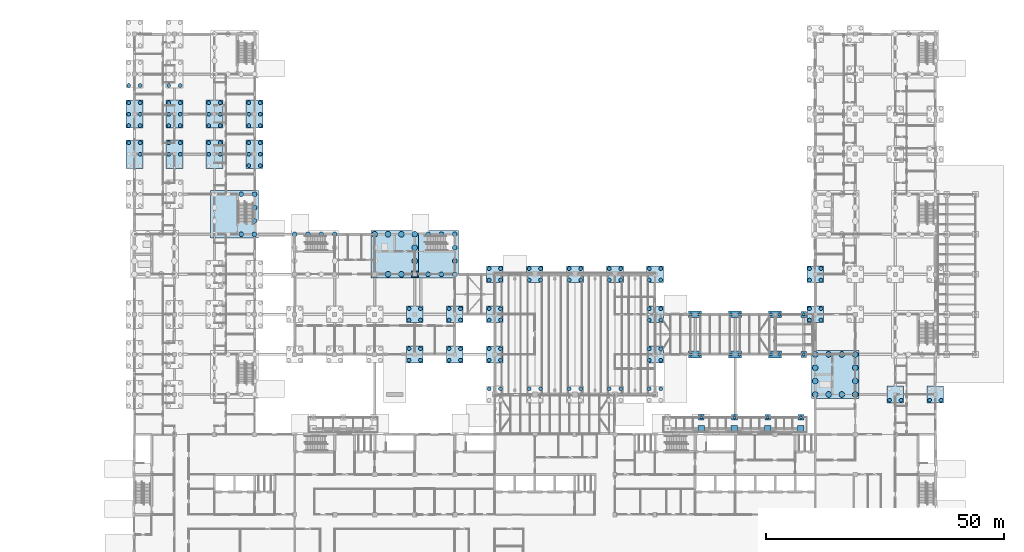
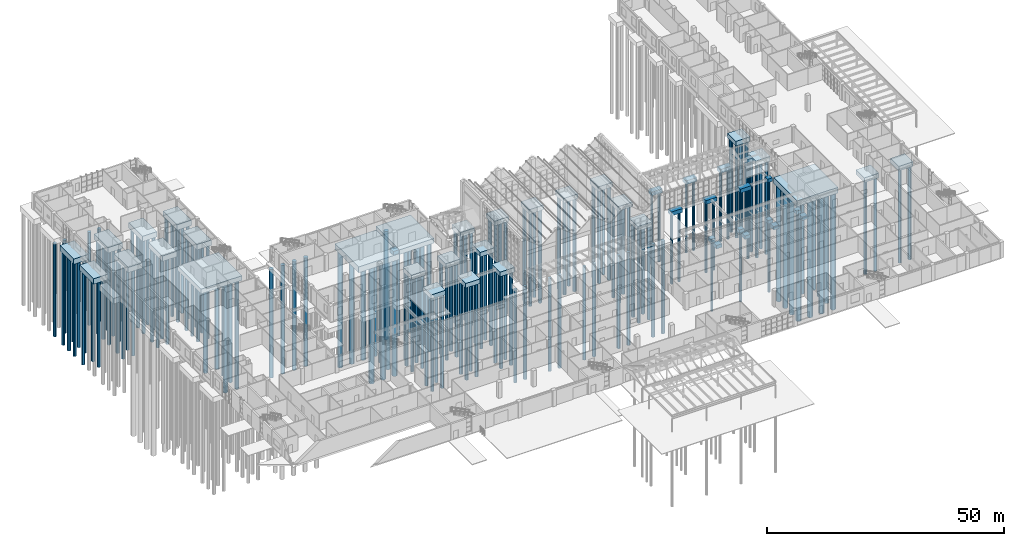
# One storey, part 2 of 138: 176 piles, 46 footings.
"""IFC4 building model written with IfcOpenShell, lengths in metres."""

import ifcopenshell
import ifcopenshell.guid

model = None  # the IFC model being written
_history = None  # IfcOwnerHistory: only IFC2X3 demands one
_inside = {}  # id of a spatial element -> (the spatial element, [elements in it])
_under = {}  # id of a project, library or spatial element -> (it, [spatial elements below it])
_declared = {}  # id of a project -> (the project, [libraries it declares])
_typed = {}  # id of a type object -> (the type object, [elements of that type])
_made_of = {}  # id of a material, layer set ... -> (it, [elements and type objects made of it])


def new_model(schema):
    """Start an empty IFC model of exactly this schema.

    Asked for "IFC4X3", IfcOpenShell would pick the latest addendum, in which some entities
    have other attributes; the version numbers below select the first issue.
    IFC2X3 requires an IfcOwnerHistory on every rooted entity: one is made here for all.
    """
    global model, _history
    if schema == "IFC4X3":
        model = ifcopenshell.file(schema_version=(4, 3, 0, 0))
    else:
        model = ifcopenshell.file(schema=schema)
    _inside.clear()
    _under.clear()
    _declared.clear()
    _typed.clear()
    _made_of.clear()
    _history = None
    if model.schema == "IFC2X3":
        org = make("IfcOrganization", Name="unknown")
        user = make(
            "IfcPersonAndOrganization",
            ThePerson=make("IfcPerson", FamilyName="unknown"),
            TheOrganization=org,
        )
        app = make(
            "IfcApplication",
            ApplicationDeveloper=org,
            Version="unknown",
            ApplicationFullName="unknown",
            ApplicationIdentifier="unknown",
        )
        _history = make(
            "IfcOwnerHistory",
            OwningUser=user,
            OwningApplication=app,
            ChangeAction="ADDED",
            CreationDate=0,
        )
    return model


def make(cls, **values):
    """One entity of the class cls with the attributes given. An attribute that is None is left unset."""
    return model.create_entity(
        cls, **{name: value for name, value in values.items() if value is not None}
    )


def rooted(cls, **values):
    """An entity with a GlobalId (a new one), such as an element, a storey or a relation."""
    return make(cls, GlobalId=ifcopenshell.guid.new(), OwnerHistory=_history, **values)


def si_unit(unit_type, name, prefix=None):
    """IfcSIUnit, for example si_unit("LENGTHUNIT", "METRE", prefix="MILLI")."""
    return make("IfcSIUnit", UnitType=unit_type, Prefix=prefix, Name=name)


def assignment(units):
    """IfcUnitAssignment: the units of a project."""
    return None if units is None else make("IfcUnitAssignment", Units=units)


def point(xyz):
    """IfcCartesianPoint."""
    return None if xyz is None else make("IfcCartesianPoint", Coordinates=xyz)


def direction(xyz):
    """IfcDirection."""
    return None if xyz is None else make("IfcDirection", DirectionRatios=xyz)


def frame(location, z_axis=None, x_axis=None):
    """IfcAxis2Placement3D, a coordinate frame: its origin and axes. An axis left out is left unset."""
    return make(
        "IfcAxis2Placement3D",
        Location=point(location),
        Axis=direction(z_axis),
        RefDirection=direction(x_axis),
    )


def frame_2d(location, x_axis=None):
    """IfcAxis2Placement2D, a coordinate frame in the plane: its origin and x axis."""
    return make(
        "IfcAxis2Placement2D", Location=point(location), RefDirection=direction(x_axis)
    )


def origin():
    """The frame at (0, 0, 0) with its axes left unset."""
    return frame((0.0, 0.0, 0.0))


def origin_2d():
    """The frame at (0, 0) in the plane with its x axis left unset."""
    return frame_2d((0.0, 0.0))


def place(relative_to, where):
    """IfcLocalPlacement: puts the frame where relative to a parent placement (None: the world)."""
    return make(
        "IfcLocalPlacement", PlacementRelTo=relative_to, RelativePlacement=where
    )


def context(
    kind, dimensions, precision=None, world=None, true_north=None, identifier=None
):
    """IfcGeometricRepresentationContext, for example the 3D "Model" context."""
    return make(
        "IfcGeometricRepresentationContext",
        ContextIdentifier=identifier,
        ContextType=kind,
        CoordinateSpaceDimension=dimensions,
        Precision=precision,
        WorldCoordinateSystem=world,
        TrueNorth=true_north,
    )


def subcontext(parent, identifier, kind, view, scale=None):
    """IfcGeometricRepresentationSubContext, for example "Body" below "Model"."""
    return make(
        "IfcGeometricRepresentationSubContext",
        ContextIdentifier=identifier,
        ContextType=kind,
        ParentContext=parent,
        TargetScale=scale,
        TargetView=view,
    )


def project(units=None, contexts=None):
    """IfcProject with its units and contexts."""
    return rooted(
        "IfcProject",
        Name="project",
        RepresentationContexts=contexts,
        UnitsInContext=assignment(units),
    )


def spatial(cls, under=None, at=None, **own):
    """A site, building, storey or space (cls), placed at a placement, below another one or the project."""
    s = rooted(cls, ObjectPlacement=at, **own)
    if under is not None:
        _under.setdefault(under.id(), (under, []))[1].append(s)
    return s


def profile(cls, at=None, kind="AREA", **sizes):
    """A parametric profile (cls). Its sizes go by their IFC names, for example OverallWidth=200.0."""
    return make(cls, ProfileType=kind, Position=at, **sizes)


def rectangle(**sizes):
    """IfcRectangleProfileDef."""
    return profile("IfcRectangleProfileDef", **sizes)


def circle(**sizes):
    """IfcCircleProfileDef."""
    return profile("IfcCircleProfileDef", **sizes)


def extrude(swept, where, along, depth):
    """IfcExtrudedAreaSolid: the profile swept, set in the frame where, extruded along a direction by depth."""
    return make(
        "IfcExtrudedAreaSolid",
        SweptArea=swept,
        Position=where,
        ExtrudedDirection=direction(along),
        Depth=depth,
    )


def shape(context_of_items, identifier, shape_type, items):
    """IfcShapeRepresentation: the items that make up one representation, for example the "Body"."""
    return make(
        "IfcShapeRepresentation",
        ContextOfItems=context_of_items,
        RepresentationIdentifier=identifier,
        RepresentationType=shape_type,
        Items=items,
    )


def material(Name=None, Category=None):
    """IfcMaterial."""
    return make("IfcMaterial", Name=Name, Category=Category)


def material_profile(
    of_material, cross_section, Name=None, Category=None, Priority=None
):
    """IfcMaterialProfile: a cross section and its material."""
    return make(
        "IfcMaterialProfile",
        Name=Name,
        Material=of_material,
        Profile=cross_section,
        Priority=Priority,
        Category=Category,
    )


def profile_set(profiles, Name=None, composite=None):
    """IfcMaterialProfileSet."""
    return make(
        "IfcMaterialProfileSet",
        Name=Name,
        MaterialProfiles=profiles,
        CompositeProfile=composite,
    )


def made_of(thing, what):
    """Note that an element or type object is made of a material, layer set ...; save() writes the relation."""
    if what is not None:
        _made_of.setdefault(what.id(), (what, []))[1].append(thing)
    return thing


def type_object(cls, material=None, **own):
    """A type object (cls), such as IfcWallType, which elements share."""
    return made_of(rooted(cls, **own), material)


def element(
    cls,
    number,
    at=None,
    inside=None,
    cuts=None,
    type_object=None,
    material=None,
    context=None,
    identifier="Body",
    shape_type=None,
    held_by="IfcProductDefinitionShape",
    body=None,
    shapes=None,
    **own,
):
    """One element of the class cls, such as IfcWall. Its Tag is "e" and its number.

    at: its placement. inside: the storey or other place that contains it. cuts: it is an
    opening in that element (IfcRelVoidsElement). A single representation is given by context,
    identifier, shape_type and body (its items); several are given by shapes. held_by: the class
    of the entity that holds the representations. save() writes the other relations.
    """
    e = rooted(cls, Tag="e%d" % number, ObjectPlacement=at, **own)
    if body is not None:
        shapes = [shape(context, identifier, shape_type, body)]
    if shapes is not None:
        e.Representation = make(held_by, Representations=shapes)
    if inside is not None:
        _inside.setdefault(inside.id(), (inside, []))[1].append(e)
    if cuts is not None:
        rooted(
            "IfcRelVoidsElement", RelatingBuildingElement=cuts, RelatedOpeningElement=e
        )
    if type_object is not None:
        _typed.setdefault(type_object.id(), (type_object, []))[1].append(e)
    return made_of(e, material)


def aggregate(whole, parts):
    """IfcRelAggregates: a whole, such as a stair, and the parts it consists of."""
    return rooted("IfcRelAggregates", RelatingObject=whole, RelatedObjects=parts)


def save(model, path):
    """Write the relations noted so far, then the file.

    IfcRelAggregates (storeys below a building ...), IfcRelContainedInSpatialStructure (elements
    in a storey), IfcRelDefinesByType, IfcRelAssociatesMaterial and IfcRelDeclares: one each for
    every whole, place, type object, material and project.
    """
    for whole, parts in _under.values():
        aggregate(whole, parts)
    for where, things in _inside.values():
        rooted(
            "IfcRelContainedInSpatialStructure",
            RelatedElements=things,
            RelatingStructure=where,
        )
    for kind, things in _typed.values():
        rooted("IfcRelDefinesByType", RelatedObjects=things, RelatingType=kind)
    for what, things in _made_of.values():
        rooted("IfcRelAssociatesMaterial", RelatedObjects=things, RelatingMaterial=what)
    for by, libraries in _declared.values():
        rooted("IfcRelDeclares", RelatingContext=by, RelatedDefinitions=libraries)
    model.write(path)


model = new_model("IFC4")

# Units and contexts
model_context = context("Model", 3, precision=1e-05, world=origin(), true_north=direction((0.0, 1.0)))
body_context = subcontext(model_context, "Body", "Model", "MODEL_VIEW")
ifc_project = project(units=[si_unit("LENGTHUNIT", "METRE"), si_unit("AREAUNIT", "SQUARE_METRE"), si_unit("VOLUMEUNIT", "CUBIC_METRE"), si_unit("PLANEANGLEUNIT", "RADIAN"), si_unit("MASSUNIT", "GRAM", prefix="KILO")], contexts=[model_context])

# Site, building, storey
site_placement = place(None, origin())
site = spatial("IfcSite", under=ifc_project, at=site_placement, CompositionType="ELEMENT")
building_placement = place(site_placement, origin())
building = spatial("IfcBuilding", under=site, at=building_placement, Name="Yavir Park General Hospital", CompositionType="ELEMENT")
storey_placement = place(building_placement, origin())
storey = spatial("IfcBuildingStorey", under=building, at=storey_placement, Name="L00", CompositionType="ELEMENT", Elevation=0.0)

# Piles
ifc_material_1 = material(Name="Concrete C35/45", Category="concrete")
ifc_material_profile_1 = material_profile(ifc_material_1, circle(Radius=0.5, at=origin_2d()), Name="D1000")
ifc_profile_set_1 = profile_set([ifc_material_profile_1], Name="Concrete C35/45")
pile_type_1 = type_object("IfcPileType", Name="BORED PILE D1000", PredefinedType="BORED", material=ifc_profile_set_1)
for number, where, z_axis, x_axis, name in (
    (1, (22.39990234375, 75.60009765625, -1.64990234375), (0.0, 0.0, -1.0), (1.0, 0.0, 0.0), "P:L00:SW2:02"),
    (2, (25.199951171875, 75.60009765625, -1.64990234375), (0.0, 0.0, -1.0), (1.0, 0.0, 0.0), "P:L00:SW2:03"),
    (3, (25.199951171875, 78.39990234375, -1.64990234375), (0.0, 0.0, -1.0), (1.0, 0.0, 0.0), "P:L00:SW2:05"),
    (4, (25.199951171875, 81.199951171875, -1.64990234375), (0.0, 0.0, -1.0), (1.0, 0.0, 0.0), "P:L00:SW2:07"),
    (5, (22.39990234375, 84.0, -1.64990234375), (0.0, 0.0, -1.0), (1.0, 0.0, 0.0), "P:L00:SW2:10"),
    (6, (25.199951171875, 84.0, -1.64990234375), (0.0, 0.0, -1.0), (1.0, 0.0, 0.0), "P:L00:SW2:11"),
    (7, (33.60009765625, 75.60009765625, -1.64990234375), (0.0, 0.0, -1.0), (1.0, 0.0, 0.0), "P:L00:CS1:08"),
    (8, (36.39990234375, 75.60009765625, -1.64990234375), (0.0, 0.0, -1.0), (1.0, 0.0, 0.0), "P:L00:CS1:09"),
    (9, (39.199951171875, 75.60009765625, -1.64990234375), (0.0, 0.0, -1.0), (1.0, 0.0, 0.0), "P:L00:CS1:10"),
    (10, (42.0, 75.60009765625, -1.64990234375), (0.0, 0.0, -1.0), (1.0, 0.0, 0.0), "P:L00:CS1:11"),
    (11, (61.60009765625, 67.199951171875, -1.64990234375), (0.0, 0.0, -1.0), (1.0, 0.0, 0.0), "P:L00:CS2:00"),
    (12, (64.39990234375, 67.199951171875, -1.64990234375), (0.0, 0.0, -1.0), (1.0, 0.0, 0.0), "P:L00:CS2:01"),
    (13, (67.199951171875, 67.199951171875, -1.64990234375), (0.0, 0.0, -1.0), (1.0, 0.0, 0.0), "P:L00:CS2:02"),
    (14, (67.199951171875, 70.0, -1.64990234375), (0.0, 0.0, -1.0), (1.0, 0.0, 0.0), "P:L00:CS2:03"),
    (15, (67.199951171875, 72.800048828125, -1.64990234375), (0.0, 0.0, -1.0), (1.0, 0.0, 0.0), "P:L00:CS2:04"),
    (16, (61.60009765625, 75.60009765625, -1.64990234375), (0.0, 0.0, -1.0), (1.0, 0.0, 0.0), "P:L00:CS2:05"),
    (17, (64.39990234375, 75.60009765625, -1.64990234375), (0.0, 0.0, -1.0), (1.0, 0.0, 0.0), "P:L00:CS2:06"),
    (18, (67.199951171875, 75.60009765625, -1.64990234375), (0.0, 0.0, -1.0), (1.0, 0.0, 0.0), "P:L00:CS2:07"),
):
    element("IfcPile", number, at=place(storey_placement, frame(where, z_axis=z_axis, x_axis=x_axis)), inside=storey, type_object=pile_type_1, Name=name, PredefinedType="BORED", context=body_context, shape_type="SweptSolid", body=[
        extrude(circle(Radius=0.5, at=origin_2d()), origin(), (0.0, 0.0, 1.0), 28.0),
    ])
ifc_material_2 = material(Name="Concrete C35/45", Category="concrete")
ifc_material_profile_2 = material_profile(ifc_material_2, circle(Radius=0.60009765625, at=origin_2d()), Name="D1200")
ifc_profile_set_2 = profile_set([ifc_material_profile_2], Name="Concrete C35/45")
pile_type_2 = type_object("IfcPileType", Name="BORED PILE D1200", PredefinedType="BORED", material=ifc_profile_set_2)
for number, where, z_axis, x_axis, name in (
    (19, (53.199951171875, 67.199951171875, -2.89990234375), (0.0, 0.0, -1.0), (1.0, 0.0, 0.0), "P:L00:CPL:01"),
    (20, (56.0, 67.199951171875, -2.89990234375), (0.0, 0.0, -1.0), (1.0, 0.0, 0.0), "P:L00:CPL:02"),
    (21, (58.800048828125, 67.199951171875, -2.89990234375), (0.0, 0.0, -1.0), (1.0, 0.0, 0.0), "P:L00:CPL:03"),
    (22, (58.800048828125, 70.0, -2.89990234375), (0.0, 0.0, -1.0), (1.0, 0.0, 0.0), "P:L00:CPL:05"),
    (23, (58.800048828125, 72.800048828125, -2.89990234375), (0.0, 0.0, -1.0), (1.0, 0.0, 0.0), "P:L00:CPL:07"),
    (24, (50.39990234375, 75.60009765625, -2.89990234375), (0.0, 0.0, -1.0), (1.0, 0.0, 0.0), "P:L00:CPL:08"),
    (25, (53.199951171875, 75.60009765625, -2.89990234375), (0.0, 0.0, -1.0), (1.0, 0.0, 0.0), "P:L00:CPL:09"),
    (26, (56.0, 75.60009765625, -2.89990234375), (0.0, 0.0, -1.0), (1.0, 0.0, 0.0), "P:L00:CPL:10"),
    (27, (58.800048828125, 75.60009765625, -2.89990234375), (0.0, 0.0, -1.0), (1.0, 0.0, 0.0), "P:L00:CPL:11"),
    (28, (142.800048828125, 42.0, -2.89990234375), (0.0, 0.0, -1.0), (1.0, 0.0, 0.0), "P:L00:EDL:00"),
    (29, (145.60009765625, 42.0, -2.89990234375), (0.0, 0.0, -1.0), (1.0, 0.0, 0.0), "P:L00:EDL:01"),
    (30, (148.39990234375, 42.0, -2.89990234375), (0.0, 0.0, -1.0), (1.0, 0.0, 0.0), "P:L00:EDL:02"),
    (31, (151.199951171875, 42.0, -2.89990234375), (0.0, 0.0, -1.0), (1.0, 0.0, 0.0), "P:L00:EDL:03"),
    (32, (142.800048828125, 44.800048828125, -2.89990234375), (0.0, 0.0, -1.0), (1.0, 0.0, 0.0), "P:L00:EDL:04"),
    (33, (151.199951171875, 44.800048828125, -2.89990234375), (0.0, 0.0, -1.0), (1.0, 0.0, 0.0), "P:L00:EDL:05"),
    (34, (142.800048828125, 47.60009765625, -2.89990234375), (0.0, 0.0, -1.0), (1.0, 0.0, 0.0), "P:L00:EDL:06"),
    (35, (151.199951171875, 47.60009765625, -2.89990234375), (0.0, 0.0, -1.0), (1.0, 0.0, 0.0), "P:L00:EDL:07"),
    (36, (142.800048828125, 50.39990234375, -2.89990234375), (0.0, 0.0, -1.0), (1.0, 0.0, 0.0), "P:L00:EDL:08"),
    (37, (145.60009765625, 50.39990234375, -2.89990234375), (0.0, 0.0, -1.0), (1.0, 0.0, 0.0), "P:L00:EDL:09"),
    (38, (148.39990234375, 50.39990234375, -2.89990234375), (0.0, 0.0, -1.0), (1.0, 0.0, 0.0), "P:L00:EDL:10"),
    (39, (151.199951171875, 50.39990234375, -2.89990234375), (0.0, 0.0, -1.0), (1.0, 0.0, 0.0), "P:L00:EDL:11"),
):
    element("IfcPile", number, at=place(storey_placement, frame(where, z_axis=z_axis, x_axis=x_axis)), inside=storey, type_object=pile_type_2, Name=name, PredefinedType="BORED", context=body_context, shape_type="SweptSolid", body=[
        extrude(circle(Radius=0.60009765625, at=origin_2d()), origin(), (0.0, 0.0, 1.0), 30.0),
    ])
ifc_material_3 = material(Name="Concrete C35/45", Category="concrete")
ifc_material_profile_3 = material_profile(ifc_material_3, circle(Radius=0.300048828125, at=origin_2d()), Name="D600")
ifc_profile_set_3 = profile_set([ifc_material_profile_3], Name="Concrete C35/45")
pile_type_3 = type_object("IfcPileType", Name="BORED PILE D600", PredefinedType="BORED", material=ifc_profile_set_3)
for number, where, z_axis, x_axis, name in (
    (40, (116.699951171875, 50.39990234375, -1.449951171875), (0.0, 0.0, -1.0), (1.0, 0.0, 0.0), "P:L00:15G:0"),
    (41, (118.5, 50.39990234375, -1.449951171875), (0.0, 0.0, -1.0), (1.0, 0.0, 0.0), "P:L00:15G:1"),
    (42, (125.10009765625, 50.39990234375, -1.449951171875), (0.0, 0.0, -1.0), (1.0, 0.0, 0.0), "P:L00:16G:0"),
    (43, (126.89990234375, 50.39990234375, -1.449951171875), (0.0, 0.0, -1.0), (1.0, 0.0, 0.0), "P:L00:16G:1"),
    (44, (133.5, 50.39990234375, -1.449951171875), (0.0, 0.0, -1.0), (1.0, 0.0, 0.0), "P:L00:17G:0"),
    (45, (135.300048828125, 50.39990234375, -1.449951171875), (0.0, 0.0, -1.0), (1.0, 0.0, 0.0), "P:L00:17G:1"),
    (46, (116.699951171875, 58.800048828125, -1.449951171875), (0.0, 0.0, -1.0), (1.0, 0.0, 0.0), "P:L00:15H:0"),
    (47, (118.5, 58.800048828125, -1.449951171875), (0.0, 0.0, -1.0), (1.0, 0.0, 0.0), "P:L00:15H:1"),
    (48, (125.10009765625, 58.800048828125, -1.449951171875), (0.0, 0.0, -1.0), (1.0, 0.0, 0.0), "P:L00:16H:0"),
    (49, (126.89990234375, 58.800048828125, -1.449951171875), (0.0, 0.0, -1.0), (1.0, 0.0, 0.0), "P:L00:16H:1"),
    (50, (133.5, 58.800048828125, -1.449951171875), (0.0, 0.0, -1.0), (1.0, 0.0, 0.0), "P:L00:17H:0"),
    (51, (135.300048828125, 58.800048828125, -1.449951171875), (0.0, 0.0, -1.0), (1.0, 0.0, 0.0), "P:L00:17H:1"),
    (52, (118.875, 37.199951171875, -1.199951171875), (0.0, 0.0, -1.0), (1.0, 0.0, 0.0), "P:ARC2:C11"),
    (53, (125.85009765625, 37.199951171875, -1.199951171875), (0.0, 0.0, -1.0), (1.0, 0.0, 0.0), "P:ARC2:C12"),
    (54, (132.824951171875, 37.199951171875, -1.199951171875), (0.0, 0.0, -1.0), (1.0, 0.0, 0.0), "P:ARC2:C13"),
    (55, (139.800048828125, 37.199951171875, -1.199951171875), (0.0, 0.0, -1.0), (1.0, 0.0, 0.0), "P:ARC2:C14"),
    (56, (140.39990234375, 50.39990234375, -1.199951171875), (0.0, 0.0, -1.0), (1.0, 0.0, 0.0), "P:EDW:C00"),
    (57, (140.39990234375, 58.800048828125, -1.199951171875), (0.0, 0.0, -1.0), (1.0, 0.0, 0.0), "P:EDW:C01"),
):
    element("IfcPile", number, at=place(storey_placement, frame(where, z_axis=z_axis, x_axis=x_axis)), inside=storey, type_object=pile_type_3, Name=name, PredefinedType="BORED", context=body_context, shape_type="SweptSolid", body=[
        extrude(circle(Radius=0.300048828125, at=origin_2d()), origin(), (0.0, 0.0, 1.0), 18.0),
    ])
ifc_material_4 = material(Name="Concrete C35/45", Category="concrete")
ifc_material_profile_4 = material_profile(ifc_material_4, circle(Radius=0.39990234375, at=origin_2d()), Name="D800")
ifc_profile_set_4 = profile_set([ifc_material_profile_4], Name="Concrete C35/45")
pile_type_4 = type_object("IfcPileType", Name="BORED PILE D800", PredefinedType="BORED", material=ifc_profile_set_4)
for number, where, z_axis, x_axis, name in (
    (58, (74.39990234375, 43.199951171875, -1.64990234375), (0.0, 0.0, -1.0), (1.0, 0.0, 0.0), "P:L00:10F:2"),
    (59, (76.800048828125, 43.199951171875, -1.64990234375), (0.0, 0.0, -1.0), (1.0, 0.0, 0.0), "P:L00:10F:3"),
    (60, (82.800048828125, 43.199951171875, -1.64990234375), (0.0, 0.0, -1.0), (1.0, 0.0, 0.0), "P:L00:11F:2"),
    (61, (85.199951171875, 43.199951171875, -1.64990234375), (0.0, 0.0, -1.0), (1.0, 0.0, 0.0), "P:L00:11F:3"),
    (62, (91.199951171875, 43.199951171875, -1.64990234375), (0.0, 0.0, -1.0), (1.0, 0.0, 0.0), "P:L00:12F:2"),
    (63, (93.60009765625, 43.199951171875, -1.64990234375), (0.0, 0.0, -1.0), (1.0, 0.0, 0.0), "P:L00:12F:3"),
    (64, (99.60009765625, 43.199951171875, -1.64990234375), (0.0, 0.0, -1.0), (1.0, 0.0, 0.0), "P:L00:13F:2"),
    (65, (102.0, 43.199951171875, -1.64990234375), (0.0, 0.0, -1.0), (1.0, 0.0, 0.0), "P:L00:13F:3"),
    (66, (108.0, 43.199951171875, -1.64990234375), (0.0, 0.0, -1.0), (1.0, 0.0, 0.0), "P:L00:14F:2"),
    (67, (110.39990234375, 43.199951171875, -1.64990234375), (0.0, 0.0, -1.0), (1.0, 0.0, 0.0), "P:L00:14F:3"),
    (68, (158.39990234375, 40.800048828125, -1.64990234375), (0.0, 0.0, -1.0), (1.0, 0.0, 0.0), "P:L00:20F:0"),
    (69, (160.800048828125, 40.800048828125, -1.64990234375), (0.0, 0.0, -1.0), (1.0, 0.0, 0.0), "P:L00:20F:1"),
    (70, (166.800048828125, 40.800048828125, -1.64990234375), (0.0, 0.0, -1.0), (1.0, 0.0, 0.0), "P:L00:21F:0"),
    (71, (169.199951171875, 40.800048828125, -1.64990234375), (0.0, 0.0, -1.0), (1.0, 0.0, 0.0), "P:L00:21F:1"),
    (72, (57.60009765625, 49.199951171875, -1.64990234375), (0.0, 0.0, -1.0), (1.0, 0.0, 0.0), "P:L00:8G:0"),
    (73, (60.0, 49.199951171875, -1.64990234375), (0.0, 0.0, -1.0), (1.0, 0.0, 0.0), "P:L00:8G:1"),
    (74, (57.60009765625, 51.60009765625, -1.64990234375), (0.0, 0.0, -1.0), (1.0, 0.0, 0.0), "P:L00:8G:2"),
    (75, (60.0, 51.60009765625, -1.64990234375), (0.0, 0.0, -1.0), (1.0, 0.0, 0.0), "P:L00:8G:3"),
    (76, (66.0, 49.199951171875, -1.64990234375), (0.0, 0.0, -1.0), (1.0, 0.0, 0.0), "P:L00:9G:0"),
    (77, (68.39990234375, 49.199951171875, -1.64990234375), (0.0, 0.0, -1.0), (1.0, 0.0, 0.0), "P:L00:9G:1"),
    (78, (66.0, 51.60009765625, -1.64990234375), (0.0, 0.0, -1.0), (1.0, 0.0, 0.0), "P:L00:9G:2"),
    (79, (68.39990234375, 51.60009765625, -1.64990234375), (0.0, 0.0, -1.0), (1.0, 0.0, 0.0), "P:L00:9G:3"),
    (80, (74.39990234375, 49.199951171875, -1.64990234375), (0.0, 0.0, -1.0), (1.0, 0.0, 0.0), "P:L00:10G:0"),
    (81, (76.800048828125, 49.199951171875, -1.64990234375), (0.0, 0.0, -1.0), (1.0, 0.0, 0.0), "P:L00:10G:1"),
    (82, (74.39990234375, 51.60009765625, -1.64990234375), (0.0, 0.0, -1.0), (1.0, 0.0, 0.0), "P:L00:10G:2"),
    (83, (76.800048828125, 51.60009765625, -1.64990234375), (0.0, 0.0, -1.0), (1.0, 0.0, 0.0), "P:L00:10G:3"),
    (84, (108.0, 49.199951171875, -1.64990234375), (0.0, 0.0, -1.0), (1.0, 0.0, 0.0), "P:L00:14G:0"),
    (85, (110.39990234375, 49.199951171875, -1.64990234375), (0.0, 0.0, -1.0), (1.0, 0.0, 0.0), "P:L00:14G:1"),
    (86, (108.0, 51.60009765625, -1.64990234375), (0.0, 0.0, -1.0), (1.0, 0.0, 0.0), "P:L00:14G:2"),
    (87, (110.39990234375, 51.60009765625, -1.64990234375), (0.0, 0.0, -1.0), (1.0, 0.0, 0.0), "P:L00:14G:3"),
    (88, (57.60009765625, 57.60009765625, -1.64990234375), (0.0, 0.0, -1.0), (1.0, 0.0, 0.0), "P:L00:8H:0"),
    (89, (60.0, 57.60009765625, -1.64990234375), (0.0, 0.0, -1.0), (1.0, 0.0, 0.0), "P:L00:8H:1"),
    (90, (57.60009765625, 60.0, -1.64990234375), (0.0, 0.0, -1.0), (1.0, 0.0, 0.0), "P:L00:8H:2"),
    (91, (60.0, 60.0, -1.64990234375), (0.0, 0.0, -1.0), (1.0, 0.0, 0.0), "P:L00:8H:3"),
    (92, (66.0, 57.60009765625, -1.64990234375), (0.0, 0.0, -1.0), (1.0, 0.0, 0.0), "P:L00:9H:0"),
    (93, (68.39990234375, 57.60009765625, -1.64990234375), (0.0, 0.0, -1.0), (1.0, 0.0, 0.0), "P:L00:9H:1"),
    (94, (66.0, 60.0, -1.64990234375), (0.0, 0.0, -1.0), (1.0, 0.0, 0.0), "P:L00:9H:2"),
    (95, (68.39990234375, 60.0, -1.64990234375), (0.0, 0.0, -1.0), (1.0, 0.0, 0.0), "P:L00:9H:3"),
    (96, (74.39990234375, 57.60009765625, -1.64990234375), (0.0, 0.0, -1.0), (1.0, 0.0, 0.0), "P:L00:10H:0"),
    (97, (76.800048828125, 57.60009765625, -1.64990234375), (0.0, 0.0, -1.0), (1.0, 0.0, 0.0), "P:L00:10H:1"),
    (98, (74.39990234375, 60.0, -1.64990234375), (0.0, 0.0, -1.0), (1.0, 0.0, 0.0), "P:L00:10H:2"),
    (99, (76.800048828125, 60.0, -1.64990234375), (0.0, 0.0, -1.0), (1.0, 0.0, 0.0), "P:L00:10H:3"),
    (100, (108.0, 57.60009765625, -1.64990234375), (0.0, 0.0, -1.0), (1.0, 0.0, 0.0), "P:L00:14H:0"),
    (101, (110.39990234375, 57.60009765625, -1.64990234375), (0.0, 0.0, -1.0), (1.0, 0.0, 0.0), "P:L00:14H:1"),
    (102, (108.0, 60.0, -1.64990234375), (0.0, 0.0, -1.0), (1.0, 0.0, 0.0), "P:L00:14H:2"),
    (103, (110.39990234375, 60.0, -1.64990234375), (0.0, 0.0, -1.0), (1.0, 0.0, 0.0), "P:L00:14H:3"),
    (104, (141.60009765625, 57.60009765625, -1.64990234375), (0.0, 0.0, -1.0), (1.0, 0.0, 0.0), "P:L00:18H:0"),
    (105, (144.0, 57.60009765625, -1.64990234375), (0.0, 0.0, -1.0), (1.0, 0.0, 0.0), "P:L00:18H:1"),
    (106, (141.60009765625, 60.0, -1.64990234375), (0.0, 0.0, -1.0), (1.0, 0.0, 0.0), "P:L00:18H:2"),
    (107, (144.0, 60.0, -1.64990234375), (0.0, 0.0, -1.0), (1.0, 0.0, 0.0), "P:L00:18H:3"),
    (108, (74.39990234375, 66.0, -1.64990234375), (0.0, 0.0, -1.0), (1.0, 0.0, 0.0), "P:L00:10J:0"),
    (109, (76.800048828125, 66.0, -1.64990234375), (0.0, 0.0, -1.0), (1.0, 0.0, 0.0), "P:L00:10J:1"),
    (110, (74.39990234375, 68.39990234375, -1.64990234375), (0.0, 0.0, -1.0), (1.0, 0.0, 0.0), "P:L00:10J:2"),
    (111, (76.800048828125, 68.39990234375, -1.64990234375), (0.0, 0.0, -1.0), (1.0, 0.0, 0.0), "P:L00:10J:3"),
    (112, (82.800048828125, 66.0, -1.64990234375), (0.0, 0.0, -1.0), (1.0, 0.0, 0.0), "P:L00:11J:0"),
    (113, (85.199951171875, 66.0, -1.64990234375), (0.0, 0.0, -1.0), (1.0, 0.0, 0.0), "P:L00:11J:1"),
    (114, (82.800048828125, 68.39990234375, -1.64990234375), (0.0, 0.0, -1.0), (1.0, 0.0, 0.0), "P:L00:11J:2"),
    (115, (85.199951171875, 68.39990234375, -1.64990234375), (0.0, 0.0, -1.0), (1.0, 0.0, 0.0), "P:L00:11J:3"),
    (116, (91.199951171875, 66.0, -1.64990234375), (0.0, 0.0, -1.0), (1.0, 0.0, 0.0), "P:L00:12J:0"),
    (117, (93.60009765625, 66.0, -1.64990234375), (0.0, 0.0, -1.0), (1.0, 0.0, 0.0), "P:L00:12J:1"),
    (118, (91.199951171875, 68.39990234375, -1.64990234375), (0.0, 0.0, -1.0), (1.0, 0.0, 0.0), "P:L00:12J:2"),
    (119, (93.60009765625, 68.39990234375, -1.64990234375), (0.0, 0.0, -1.0), (1.0, 0.0, 0.0), "P:L00:12J:3"),
    (120, (99.60009765625, 66.0, -1.64990234375), (0.0, 0.0, -1.0), (1.0, 0.0, 0.0), "P:L00:13J:0"),
    (121, (102.0, 66.0, -1.64990234375), (0.0, 0.0, -1.0), (1.0, 0.0, 0.0), "P:L00:13J:1"),
    (122, (99.60009765625, 68.39990234375, -1.64990234375), (0.0, 0.0, -1.0), (1.0, 0.0, 0.0), "P:L00:13J:2"),
    (123, (102.0, 68.39990234375, -1.64990234375), (0.0, 0.0, -1.0), (1.0, 0.0, 0.0), "P:L00:13J:3"),
    (124, (108.0, 66.0, -1.64990234375), (0.0, 0.0, -1.0), (1.0, 0.0, 0.0), "P:L00:14J:0"),
    (125, (110.39990234375, 66.0, -1.64990234375), (0.0, 0.0, -1.0), (1.0, 0.0, 0.0), "P:L00:14J:1"),
    (126, (108.0, 68.39990234375, -1.64990234375), (0.0, 0.0, -1.0), (1.0, 0.0, 0.0), "P:L00:14J:2"),
    (127, (110.39990234375, 68.39990234375, -1.64990234375), (0.0, 0.0, -1.0), (1.0, 0.0, 0.0), "P:L00:14J:3"),
    (128, (141.60009765625, 66.0, -1.64990234375), (0.0, 0.0, -1.0), (1.0, 0.0, 0.0), "P:L00:18J:0"),
    (129, (144.0, 66.0, -1.64990234375), (0.0, 0.0, -1.0), (1.0, 0.0, 0.0), "P:L00:18J:1"),
    (130, (141.60009765625, 68.39990234375, -1.64990234375), (0.0, 0.0, -1.0), (1.0, 0.0, 0.0), "P:L00:18J:2"),
    (131, (144.0, 68.39990234375, -1.64990234375), (0.0, 0.0, -1.0), (1.0, 0.0, 0.0), "P:L00:18J:3"),
    (132, (-1.199951171875, 94.800048828125, -1.85009765625), (0.0, 0.0, -1.0), (1.0, 0.0, 0.0), "P:L00:1M:2"),
    (133, (1.199951171875, 92.39990234375, -1.85009765625), (0.0, 0.0, -1.0), (1.0, 0.0, 0.0), "P:L00:1M:4"),
    (134, (1.199951171875, 94.800048828125, -1.85009765625), (0.0, 0.0, -1.0), (1.0, 0.0, 0.0), "P:L00:1M:5"),
    (135, (7.199951171875, 92.39990234375, -1.85009765625), (0.0, 0.0, -1.0), (1.0, 0.0, 0.0), "P:L00:2M:1"),
    (136, (7.199951171875, 94.800048828125, -1.85009765625), (0.0, 0.0, -1.0), (1.0, 0.0, 0.0), "P:L00:2M:2"),
    (137, (9.60009765625, 92.39990234375, -1.85009765625), (0.0, 0.0, -1.0), (1.0, 0.0, 0.0), "P:L00:2M:4"),
    (138, (9.60009765625, 94.800048828125, -1.85009765625), (0.0, 0.0, -1.0), (1.0, 0.0, 0.0), "P:L00:2M:5"),
    (139, (15.60009765625, 92.39990234375, -1.85009765625), (0.0, 0.0, -1.0), (1.0, 0.0, 0.0), "P:L00:3M:1"),
    (140, (15.60009765625, 94.800048828125, -1.85009765625), (0.0, 0.0, -1.0), (1.0, 0.0, 0.0), "P:L00:3M:2"),
    (141, (18.0, 92.39990234375, -1.85009765625), (0.0, 0.0, -1.0), (1.0, 0.0, 0.0), "P:L00:3M:4"),
    (142, (18.0, 94.800048828125, -1.85009765625), (0.0, 0.0, -1.0), (1.0, 0.0, 0.0), "P:L00:3M:5"),
    (143, (24.0, 90.0, -1.85009765625), (0.0, 0.0, -1.0), (1.0, 0.0, 0.0), "P:L00:4M:0"),
    (144, (24.0, 92.39990234375, -1.85009765625), (0.0, 0.0, -1.0), (1.0, 0.0, 0.0), "P:L00:4M:1"),
    (145, (24.0, 94.800048828125, -1.85009765625), (0.0, 0.0, -1.0), (1.0, 0.0, 0.0), "P:L00:4M:2"),
    (146, (26.39990234375, 90.0, -1.85009765625), (0.0, 0.0, -1.0), (1.0, 0.0, 0.0), "P:L00:4M:3"),
    (147, (26.39990234375, 92.39990234375, -1.85009765625), (0.0, 0.0, -1.0), (1.0, 0.0, 0.0), "P:L00:4M:4"),
    (148, (26.39990234375, 94.800048828125, -1.85009765625), (0.0, 0.0, -1.0), (1.0, 0.0, 0.0), "P:L00:4M:5"),
    (149, (-1.199951171875, 98.39990234375, -1.85009765625), (0.0, 0.0, -1.0), (1.0, 0.0, 0.0), "P:L00:1N:0"),
    (150, (-1.199951171875, 100.800048828125, -1.85009765625), (0.0, 0.0, -1.0), (1.0, 0.0, 0.0), "P:L00:1N:1"),
    (151, (-1.199951171875, 103.199951171875, -1.85009765625), (0.0, 0.0, -1.0), (1.0, 0.0, 0.0), "P:L00:1N:2"),
    (152, (1.199951171875, 98.39990234375, -1.85009765625), (0.0, 0.0, -1.0), (1.0, 0.0, 0.0), "P:L00:1N:3"),
    (153, (1.199951171875, 100.800048828125, -1.85009765625), (0.0, 0.0, -1.0), (1.0, 0.0, 0.0), "P:L00:1N:4"),
    (154, (1.199951171875, 103.199951171875, -1.85009765625), (0.0, 0.0, -1.0), (1.0, 0.0, 0.0), "P:L00:1N:5"),
    (155, (7.199951171875, 98.39990234375, -1.85009765625), (0.0, 0.0, -1.0), (1.0, 0.0, 0.0), "P:L00:2N:0"),
    (156, (7.199951171875, 100.800048828125, -1.85009765625), (0.0, 0.0, -1.0), (1.0, 0.0, 0.0), "P:L00:2N:1"),
    (157, (7.199951171875, 103.199951171875, -1.85009765625), (0.0, 0.0, -1.0), (1.0, 0.0, 0.0), "P:L00:2N:2"),
    (158, (9.60009765625, 98.39990234375, -1.85009765625), (0.0, 0.0, -1.0), (1.0, 0.0, 0.0), "P:L00:2N:3"),
    (159, (9.60009765625, 100.800048828125, -1.85009765625), (0.0, 0.0, -1.0), (1.0, 0.0, 0.0), "P:L00:2N:4"),
    (160, (9.60009765625, 103.199951171875, -1.85009765625), (0.0, 0.0, -1.0), (1.0, 0.0, 0.0), "P:L00:2N:5"),
    (161, (15.60009765625, 98.39990234375, -1.85009765625), (0.0, 0.0, -1.0), (1.0, 0.0, 0.0), "P:L00:3N:0"),
    (162, (15.60009765625, 100.800048828125, -1.85009765625), (0.0, 0.0, -1.0), (1.0, 0.0, 0.0), "P:L00:3N:1"),
    (163, (15.60009765625, 103.199951171875, -1.85009765625), (0.0, 0.0, -1.0), (1.0, 0.0, 0.0), "P:L00:3N:2"),
    (164, (18.0, 98.39990234375, -1.85009765625), (0.0, 0.0, -1.0), (1.0, 0.0, 0.0), "P:L00:3N:3"),
    (165, (18.0, 100.800048828125, -1.85009765625), (0.0, 0.0, -1.0), (1.0, 0.0, 0.0), "P:L00:3N:4"),
    (166, (18.0, 103.199951171875, -1.85009765625), (0.0, 0.0, -1.0), (1.0, 0.0, 0.0), "P:L00:3N:5"),
    (167, (24.0, 98.39990234375, -1.85009765625), (0.0, 0.0, -1.0), (1.0, 0.0, 0.0), "P:L00:4N:0"),
    (168, (24.0, 100.800048828125, -1.85009765625), (0.0, 0.0, -1.0), (1.0, 0.0, 0.0), "P:L00:4N:1"),
    (169, (24.0, 103.199951171875, -1.85009765625), (0.0, 0.0, -1.0), (1.0, 0.0, 0.0), "P:L00:4N:2"),
    (170, (26.39990234375, 98.39990234375, -1.85009765625), (0.0, 0.0, -1.0), (1.0, 0.0, 0.0), "P:L00:4N:3"),
    (171, (26.39990234375, 100.800048828125, -1.85009765625), (0.0, 0.0, -1.0), (1.0, 0.0, 0.0), "P:L00:4N:4"),
    (172, (26.39990234375, 103.199951171875, -1.85009765625), (0.0, 0.0, -1.0), (1.0, 0.0, 0.0), "P:L00:4N:5"),
    (173, (-1.199951171875, 106.800048828125, -1.85009765625), (0.0, 0.0, -1.0), (1.0, 0.0, 0.0), "P:L00:1P:0"),
    (174, (1.199951171875, 106.800048828125, -1.85009765625), (0.0, 0.0, -1.0), (1.0, 0.0, 0.0), "P:L00:1P:3"),
    (175, (7.199951171875, 106.800048828125, -1.85009765625), (0.0, 0.0, -1.0), (1.0, 0.0, 0.0), "P:L00:2P:0"),
    (176, (9.60009765625, 106.800048828125, -1.85009765625), (0.0, 0.0, -1.0), (1.0, 0.0, 0.0), "P:L00:2P:3"),
):
    element("IfcPile", number, at=place(storey_placement, frame(where, z_axis=z_axis, x_axis=x_axis)), inside=storey, type_object=pile_type_4, Name=name, PredefinedType="BORED", context=body_context, shape_type="SweptSolid", body=[
        extrude(circle(Radius=0.39990234375, at=origin_2d()), origin(), (0.0, 0.0, 1.0), 24.0),
    ])

# Footings
ifc_material_5 = material(Name="Concrete C35/45", Category="concrete")
footing_type_1 = type_object("IfcFootingType", Name="PAD FOOTING COLUMN PEDESTAL 1400x1400x950", PredefinedType="PAD_FOOTING", material=ifc_material_5)
footing_1_placement = place(storey_placement, frame((58.800048828125, 67.199951171875, -1.39990234375), z_axis=(0.0, 0.0, 1.0), x_axis=(1.0, 0.0, 0.0)))
element("IfcFooting", 177, at=footing_1_placement, inside=storey, type_object=footing_type_1, Name="F:L00:8J", PredefinedType="PAD_FOOTING", context=body_context, shape_type="SweptSolid", body=[
    extrude(rectangle(XDim=1.39990234375, YDim=1.39990234375, at=origin_2d()), origin(), (0.0, 0.0, 1.0), 0.949951171875),
])
ifc_material_6 = material(Name="Concrete C35/45", Category="concrete")
footing_type_2 = type_object("IfcFootingType", Name="PAD FOOTING FRAME EDGE 1400x1400x900", PredefinedType="PAD_FOOTING", material=ifc_material_6)
for number, where, z_axis, x_axis, name in (
    (178, (118.875, 34.800048828125, -1.199951171875), (0.0, 0.0, 1.0), (1.0, 0.0, 0.0), "F:ARC2:C01"),
    (179, (125.85009765625, 34.800048828125, -1.199951171875), (0.0, 0.0, 1.0), (1.0, 0.0, 0.0), "F:ARC2:C02"),
    (180, (132.824951171875, 34.800048828125, -1.199951171875), (0.0, 0.0, 1.0), (1.0, 0.0, 0.0), "F:ARC2:C03"),
    (181, (139.800048828125, 34.800048828125, -1.199951171875), (0.0, 0.0, 1.0), (1.0, 0.0, 0.0), "F:ARC2:C04"),
):
    element("IfcFooting", number, at=place(storey_placement, frame(where, z_axis=z_axis, x_axis=x_axis)), inside=storey, type_object=footing_type_2, Name=name, PredefinedType="PAD_FOOTING", context=body_context, shape_type="SweptSolid", body=[
        extrude(rectangle(XDim=1.39990234375, YDim=1.39990234375, at=origin_2d()), origin(), (0.0, 0.0, 1.0), 0.89990234375),
    ])
ifc_material_7 = material(Name="Concrete C35/45", Category="concrete")
footing_type_3 = type_object("IfcFootingType", Name="PILE CAP COLUMN 3500x3500x1200", PredefinedType="PILE_CAP", material=ifc_material_7)
for number, where, z_axis, x_axis, name in (
    (182, (159.60009765625, 42.0, -1.64990234375), (0.0, 0.0, 1.0), (1.0, 0.0, 0.0), "F:L00:20F"),
    (183, (168.0, 42.0, -1.64990234375), (0.0, 0.0, 1.0), (1.0, 0.0, 0.0), "F:L00:21F"),
    (184, (58.800048828125, 50.39990234375, -1.64990234375), (0.0, 0.0, 1.0), (1.0, 0.0, 0.0), "F:L00:8G"),
    (185, (67.199951171875, 50.39990234375, -1.64990234375), (0.0, 0.0, 1.0), (1.0, 0.0, 0.0), "F:L00:9G"),
    (186, (75.60009765625, 50.39990234375, -1.64990234375), (0.0, 0.0, 1.0), (1.0, 0.0, 0.0), "F:L00:10G"),
    (187, (109.199951171875, 50.39990234375, -1.64990234375), (0.0, 0.0, 1.0), (1.0, 0.0, 0.0), "F:L00:14G"),
    (188, (58.800048828125, 58.800048828125, -1.64990234375), (0.0, 0.0, 1.0), (1.0, 0.0, 0.0), "F:L00:8H"),
    (189, (67.199951171875, 58.800048828125, -1.64990234375), (0.0, 0.0, 1.0), (1.0, 0.0, 0.0), "F:L00:9H"),
    (190, (75.60009765625, 58.800048828125, -1.64990234375), (0.0, 0.0, 1.0), (1.0, 0.0, 0.0), "F:L00:10H"),
    (191, (109.199951171875, 58.800048828125, -1.64990234375), (0.0, 0.0, 1.0), (1.0, 0.0, 0.0), "F:L00:14H"),
    (192, (142.800048828125, 58.800048828125, -1.64990234375), (0.0, 0.0, 1.0), (1.0, 0.0, 0.0), "F:L00:18H"),
    (193, (75.60009765625, 67.199951171875, -1.64990234375), (0.0, 0.0, 1.0), (1.0, 0.0, 0.0), "F:L00:10J"),
    (194, (84.0, 67.199951171875, -1.64990234375), (0.0, 0.0, 1.0), (1.0, 0.0, 0.0), "F:L00:11J"),
    (195, (92.39990234375, 67.199951171875, -1.64990234375), (0.0, 0.0, 1.0), (1.0, 0.0, 0.0), "F:L00:12J"),
    (196, (100.800048828125, 67.199951171875, -1.64990234375), (0.0, 0.0, 1.0), (1.0, 0.0, 0.0), "F:L00:13J"),
    (197, (109.199951171875, 67.199951171875, -1.64990234375), (0.0, 0.0, 1.0), (1.0, 0.0, 0.0), "F:L00:14J"),
    (198, (142.800048828125, 67.199951171875, -1.64990234375), (0.0, 0.0, 1.0), (1.0, 0.0, 0.0), "F:L00:18J"),
):
    element("IfcFooting", number, at=place(storey_placement, frame(where, z_axis=z_axis, x_axis=x_axis)), inside=storey, type_object=footing_type_3, Name=name, PredefinedType="PILE_CAP", context=body_context, shape_type="SweptSolid", body=[
        extrude(rectangle(XDim=3.5, YDim=3.5, at=origin_2d()), origin(), (0.0, 0.0, 1.0), 1.199951171875),
    ])
ifc_material_8 = material(Name="Concrete C35/45", Category="concrete")
footing_type_4 = type_object("IfcFootingType", Name="PILE CAP FRAME COLUMN 1200x1200x900", PredefinedType="PILE_CAP", material=ifc_material_8)
for number, where, z_axis, x_axis, name in (
    (199, (118.875, 37.199951171875, -1.199951171875), (0.0, 0.0, 1.0), (1.0, 0.0, 0.0), "F:ARC2:C11"),
    (200, (125.85009765625, 37.199951171875, -1.199951171875), (0.0, 0.0, 1.0), (1.0, 0.0, 0.0), "F:ARC2:C12"),
    (201, (132.824951171875, 37.199951171875, -1.199951171875), (0.0, 0.0, 1.0), (1.0, 0.0, 0.0), "F:ARC2:C13"),
    (202, (139.800048828125, 37.199951171875, -1.199951171875), (0.0, 0.0, 1.0), (1.0, 0.0, 0.0), "F:ARC2:C14"),
    (203, (140.39990234375, 50.39990234375, -1.199951171875), (0.0, 0.0, 1.0), (1.0, 0.0, 0.0), "F:EDW:C00"),
    (204, (140.39990234375, 58.800048828125, -1.199951171875), (0.0, 0.0, 1.0), (1.0, 0.0, 0.0), "F:EDW:C01"),
):
    element("IfcFooting", number, at=place(storey_placement, frame(where, z_axis=z_axis, x_axis=x_axis)), inside=storey, type_object=footing_type_4, Name=name, PredefinedType="PILE_CAP", context=body_context, shape_type="SweptSolid", body=[
        extrude(rectangle(XDim=1.199951171875, YDim=1.199951171875, at=origin_2d()), origin(), (0.0, 0.0, 1.0), 0.89990234375),
    ])
ifc_material_9 = material(Name="Concrete C35/45", Category="concrete")
footing_type_5 = type_object("IfcFootingType", Name="PILE CAP LIFT PIT 10000x10000x1500", PredefinedType="PILE_CAP", material=ifc_material_9)
for number, where, z_axis, x_axis, name in (
    (205, (54.60009765625, 71.39990234375, -2.89990234375), (0.0, 0.0, 1.0), (1.0, 0.0, 0.0), "F:L00:CPL"),
    (206, (147.0, 46.199951171875, -2.89990234375), (0.0, 0.0, 1.0), (1.0, 0.0, 0.0), "F:L00:EDL"),
):
    element("IfcFooting", number, at=place(storey_placement, frame(where, z_axis=z_axis, x_axis=x_axis)), inside=storey, type_object=footing_type_5, Name=name, PredefinedType="PILE_CAP", context=body_context, shape_type="SweptSolid", body=[
        extrude(rectangle(XDim=10.0, YDim=10.0, at=origin_2d()), origin(), (0.0, 0.0, 1.0), 1.5),
    ])
ifc_material_10 = material(Name="Concrete C35/45", Category="concrete")
footing_type_6 = type_object("IfcFootingType", Name="PILE CAP ROOF COLUMN 2700x1400x1000", PredefinedType="PILE_CAP", material=ifc_material_10)
for number, where, z_axis, x_axis, name in (
    (207, (117.60009765625, 50.39990234375, -1.449951171875), (0.0, 0.0, 1.0), (1.0, 0.0, 0.0), "F:L00:15G"),
    (208, (126.0, 50.39990234375, -1.449951171875), (0.0, 0.0, 1.0), (1.0, 0.0, 0.0), "F:L00:16G"),
    (209, (134.39990234375, 50.39990234375, -1.449951171875), (0.0, 0.0, 1.0), (1.0, 0.0, 0.0), "F:L00:17G"),
    (210, (117.60009765625, 58.800048828125, -1.449951171875), (0.0, 0.0, 1.0), (1.0, 0.0, 0.0), "F:L00:15H"),
    (211, (126.0, 58.800048828125, -1.449951171875), (0.0, 0.0, 1.0), (1.0, 0.0, 0.0), "F:L00:16H"),
    (212, (134.39990234375, 58.800048828125, -1.449951171875), (0.0, 0.0, 1.0), (1.0, 0.0, 0.0), "F:L00:17H"),
):
    element("IfcFooting", number, at=place(storey_placement, frame(where, z_axis=z_axis, x_axis=x_axis)), inside=storey, type_object=footing_type_6, Name=name, PredefinedType="PILE_CAP", context=body_context, shape_type="SweptSolid", body=[
        extrude(rectangle(XDim=2.699951171875, YDim=1.39990234375, at=origin_2d()), origin(), (0.0, 0.0, 1.0), 1.0),
    ])
ifc_material_11 = material(Name="Concrete C35/45", Category="concrete")
footing_type_7 = type_object("IfcFootingType", Name="PILE CAP STAIR CORE 10000x10000x1200", PredefinedType="PILE_CAP", material=ifc_material_11)
footing_2_placement = place(storey_placement, frame((21.0, 79.800048828125, -1.64990234375), z_axis=(0.0, 0.0, 1.0), x_axis=(1.0, 0.0, 0.0)))
element("IfcFooting", 213, at=footing_2_placement, inside=storey, type_object=footing_type_7, Name="F:L00:SW2", PredefinedType="PILE_CAP", context=body_context, shape_type="SweptSolid", body=[
    extrude(rectangle(XDim=10.0, YDim=10.0, at=origin_2d()), origin(), (0.0, 0.0, 1.0), 1.199951171875),
])
ifc_material_12 = material(Name="Concrete C35/45", Category="concrete")
footing_type_8 = type_object("IfcFootingType", Name="PILE CAP STAIR CORE 8400x10000x1200", PredefinedType="PILE_CAP", material=ifc_material_12)
footing_3_placement = place(storey_placement, frame((63.800048828125, 71.39990234375, -1.64990234375), z_axis=(0.0, 0.0, 1.0), x_axis=(1.0, 0.0, 0.0)))
element("IfcFooting", 214, at=footing_3_placement, inside=storey, type_object=footing_type_8, Name="F:L00:CS2", PredefinedType="PILE_CAP", context=body_context, shape_type="SweptSolid", body=[
    extrude(rectangle(XDim=8.39990234375, YDim=10.0, at=origin_2d()), origin(), (0.0, 0.0, 1.0), 1.199951171875),
])
ifc_material_13 = material(Name="Concrete C35/45", Category="concrete")
footing_type_9 = type_object("IfcFootingType", Name="PILE CAP WARD BAR COLUMN 3500x5900x1400", PredefinedType="PILE_CAP", material=ifc_material_13)
for number, where, z_axis, x_axis, name in (
    (215, (0.0, 92.39990234375, -1.849853515625), (0.0, 0.0, 1.0), (1.0, 0.0, 0.0), "F:L00:1M"),
    (216, (8.39990234375, 92.39990234375, -1.849853515625), (0.0, 0.0, 1.0), (1.0, 0.0, 0.0), "F:L00:2M"),
    (217, (16.800048828125, 92.39990234375, -1.849853515625), (0.0, 0.0, 1.0), (1.0, 0.0, 0.0), "F:L00:3M"),
    (218, (25.199951171875, 92.39990234375, -1.849853515625), (0.0, 0.0, 1.0), (1.0, 0.0, 0.0), "F:L00:4M"),
    (219, (0.0, 100.800048828125, -1.849853515625), (0.0, 0.0, 1.0), (1.0, 0.0, 0.0), "F:L00:1N"),
    (220, (8.39990234375, 100.800048828125, -1.849853515625), (0.0, 0.0, 1.0), (1.0, 0.0, 0.0), "F:L00:2N"),
    (221, (16.800048828125, 100.800048828125, -1.849853515625), (0.0, 0.0, 1.0), (1.0, 0.0, 0.0), "F:L00:3N"),
    (222, (25.199951171875, 100.800048828125, -1.849853515625), (0.0, 0.0, 1.0), (1.0, 0.0, 0.0), "F:L00:4N"),
):
    element("IfcFooting", number, at=place(storey_placement, frame(where, z_axis=z_axis, x_axis=x_axis)), inside=storey, type_object=footing_type_9, Name=name, PredefinedType="PILE_CAP", context=body_context, shape_type="SweptSolid", body=[
        extrude(rectangle(XDim=3.5, YDim=5.89990234375, at=origin_2d()), origin(), (0.0, 0.0, 1.0), 1.39990234375),
    ])

save(model, "model.ifc")
